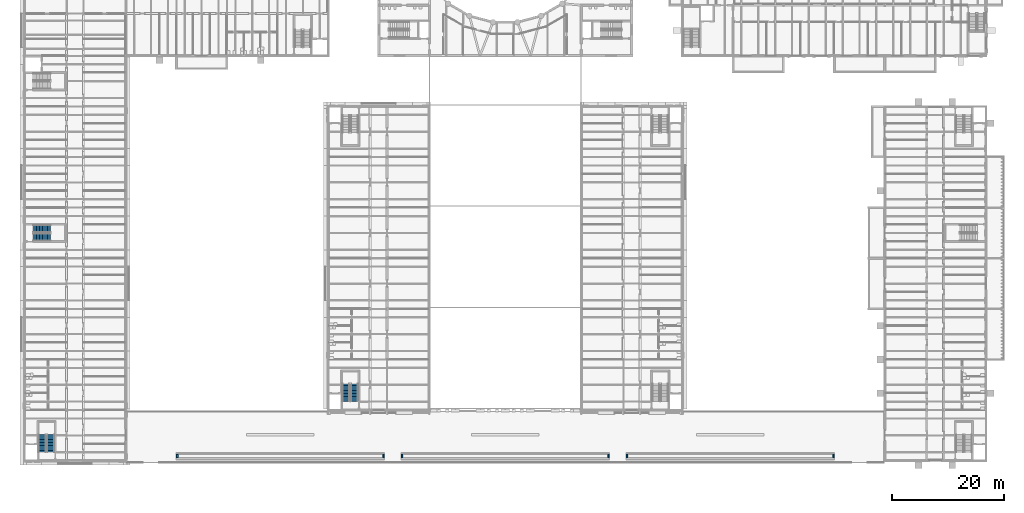
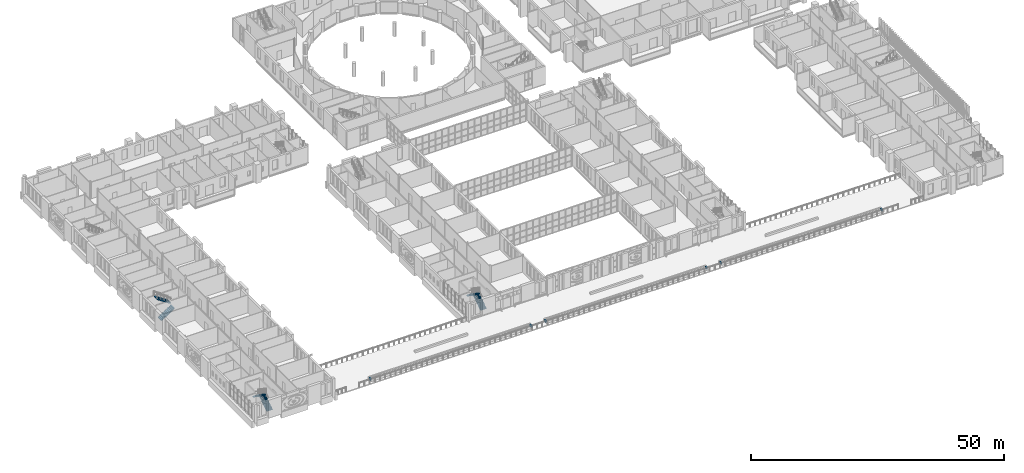
# One storey, part 94 of 134: 6 stair flights, 6 walls, 3 elements without a shape of their own.
"""IFC4 building model written with IfcOpenShell, lengths in metres."""

from ifc_helpers import new_model, si_unit, direction, frame, frame_2d, origin, place, context, subcontext, project, spatial, polyline, rectangle, outline, extrude, material, layer, layer_set, type_object, element, aggregate, save


model = new_model("IFC4")

# Units and contexts
model_context = context("Model", 3, precision=1e-05, world=origin(), true_north=direction((0.0, 1.0)))
body_context = subcontext(model_context, "Body", "Model", "MODEL_VIEW")
ifc_project = project(units=[si_unit("LENGTHUNIT", "METRE"), si_unit("AREAUNIT", "SQUARE_METRE"), si_unit("VOLUMEUNIT", "CUBIC_METRE"), si_unit("PLANEANGLEUNIT", "RADIAN"), si_unit("MASSUNIT", "GRAM", prefix="KILO")], contexts=[model_context])

# Site, building, storey
site_placement = place(None, origin())
site = spatial("IfcSite", under=ifc_project, at=site_placement, CompositionType="ELEMENT")
building_placement = place(site_placement, origin())
building = spatial("IfcBuilding", under=site, at=building_placement, Name="Golden Quay Civic Hall", CompositionType="ELEMENT")
storey_placement = place(building_placement, frame((0.0, 0.0, 5.39990234375)))
storey = spatial("IfcBuildingStorey", under=building, at=storey_placement, Name="L01", CompositionType="ELEMENT", Elevation=5.39990234375)

# Walls
ifc_material_1 = material(Name="Brick, dark clay facing", Category="masonry")
ifc_layer = layer(ifc_material_1, 0.300048828125)
ifc_layer_set = layer_set([ifc_layer], Name="Brick planter wall 300")
wall_type = type_object("IfcWallType", Name="Brick planter wall 300", PredefinedType="STANDARD", material=ifc_layer_set)
for number, where, z_axis, x_axis, name in (
    (1, (27.14990234375, -8.5, 0.0), (0.0, 0.0, 1.0), (0.0, 1.0, 0.0), "Terrace planter 1"),
    (2, (63.85009765625, -8.5, 0.0), (0.0, 0.0, 1.0), (0.0, 1.0, 0.0), "Terrace planter 1"),
    (3, (67.14990234375, -8.5, 0.0), (0.0, 0.0, 1.0), (0.0, 1.0, 0.0), "Terrace planter 2"),
    (4, (103.85009765625, -8.5, 0.0), (0.0, 0.0, 1.0), (0.0, 1.0, 0.0), "Terrace planter 2"),
    (5, (107.14990234375, -8.5, 0.0), (0.0, 0.0, 1.0), (0.0, 1.0, 0.0), "Terrace planter 3"),
    (6, (143.85009765625, -8.5, 0.0), (0.0, 0.0, 1.0), (0.0, 1.0, 0.0), "Terrace planter 3"),
):
    element("IfcWall", number, at=place(storey_placement, frame(where, z_axis=z_axis, x_axis=x_axis)), inside=storey, type_object=wall_type, Name=name, PredefinedType="STANDARD", context=body_context, shape_type="SweptSolid", body=[
        extrude(rectangle(XDim=0.60009765625, YDim=0.300048828125, at=frame_2d((0.300048828125, 0.0))), origin(), (0.0, 0.0, 1.0), 0.5),
    ])

# Stair, stair flights
ifc_material_2 = material(Name="Concrete C35/45", Category="concrete")
stair_type = type_object("IfcStairType", Name="Concrete stair 1350 wide 24 risers of 187.5", PredefinedType="HALF_TURN_STAIR", material=ifc_material_2)
stair_1_placement = place(storey_placement, origin())
stair_1 = element("IfcStair", 7, at=stair_1_placement, inside=storey, type_object=stair_type, Name="L01 Stair WO-S", PredefinedType="HALF_TURN_STAIR")
ifc_material_3 = material(Name="Concrete C35/45", Category="concrete")
stair_flight_type = type_object("IfcStairFlightType", Name="Concrete stair flight 1350 wide 12 risers of 187.5", PredefinedType="STRAIGHT", material=ifc_material_3)
stair_flight_1_placement = place(storey_placement, frame((4.675048828125, -7.449951171875, 0.0), z_axis=(0.0, 0.0, 1.0), x_axis=(0.0, 1.0, 0.0)))
stair_flight_1 = element("IfcStairFlight", 8, at=stair_flight_1_placement, type_object=stair_flight_type, Name="WO-S flight 1", NumberOfRisers=12, NumberOfTreads=11, PredefinedType="STRAIGHT", RiserHeight=0.1875, TreadLength=0.28, context=body_context, shape_type="SweptSolid", body=[
    extrude(outline(polyline([(0.0, 0.0), (0.0, 0.1875), (0.280029296875, 0.1875), (0.280029296875, 0.375), (0.56005859375, 0.375), (0.56005859375, 0.5625), (0.840087890625, 0.5625), (0.840087890625, 0.75), (1.1201171875, 0.75), (1.1201171875, 0.9375), (1.39990234375, 0.9375), (1.39990234375, 1.125), (1.679931640625, 1.125), (1.679931640625, 1.3125), (1.9599609375, 1.3125), (1.9599609375, 1.5), (2.239990234375, 1.5), (2.239990234375, 1.6875), (2.52001953125, 1.6875), (2.52001953125, 1.875), (2.800048828125, 1.875), (2.800048828125, 2.0625), (3.080078125, 2.0625), (3.080078125, 2.25), (3.080078125, 1.882080078125), (0.26953125, 0.0), (0.0, 0.0)])), frame((0.0, 0.675048828125, 0.0), z_axis=(0.0, -1.0, 0.0), x_axis=(1.0, 0.0, 0.0)), (0.0, 0.0, 1.0), 1.35),
])
stair_flight_2_placement = place(storey_placement, frame((3.175048828125, -4.3701171875, 2.25), z_axis=(0.0, 0.0, 1.0), x_axis=(0.0, -1.0, 0.0)))
stair_flight_2 = element("IfcStairFlight", 9, at=stair_flight_2_placement, type_object=stair_flight_type, Name="WO-S flight 2", NumberOfRisers=12, NumberOfTreads=11, PredefinedType="STRAIGHT", RiserHeight=0.1875, TreadLength=0.28, context=body_context, shape_type="SweptSolid", body=[
    extrude(outline(polyline([(0.0, 0.0), (0.0, 0.1875), (0.280029296875, 0.1875), (0.280029296875, 0.375), (0.56005859375, 0.375), (0.56005859375, 0.5625), (0.840087890625, 0.5625), (0.840087890625, 0.75), (1.1201171875, 0.75), (1.1201171875, 0.9375), (1.39990234375, 0.9375), (1.39990234375, 1.125), (1.679931640625, 1.125), (1.679931640625, 1.3125), (1.9599609375, 1.3125), (1.9599609375, 1.5), (2.239990234375, 1.5), (2.239990234375, 1.6875), (2.52001953125, 1.6875), (2.52001953125, 1.875), (2.800048828125, 1.875), (2.800048828125, 2.0625), (3.080078125, 2.0625), (3.080078125, 2.25), (3.080078125, 1.882080078125), (0.26953125, 0.0), (0.0, 0.0)])), frame((0.0, 0.675048828125, 0.0), z_axis=(0.0, -1.0, 0.0), x_axis=(1.0, 0.0, 0.0)), (0.0, 0.0, 1.0), 1.35),
])
aggregate(stair_1, [stair_flight_1, stair_flight_2])

stair_2_placement = place(storey_placement, origin())
stair_2 = element("IfcStair", 10, at=stair_2_placement, inside=storey, type_object=stair_type, Name="L01 Stair WO-M", PredefinedType="HALF_TURN_STAIR")
stair_flight_3_placement = place(storey_placement, frame((1.550048828125, 30.75, 0.0), z_axis=(0.0, 0.0, 1.0), x_axis=(1.0, 0.0, 0.0)))
stair_flight_3 = element("IfcStairFlight", 11, at=stair_flight_3_placement, type_object=stair_flight_type, Name="WO-M flight 1", NumberOfRisers=12, NumberOfTreads=11, PredefinedType="STRAIGHT", RiserHeight=0.1875, TreadLength=0.28, context=body_context, shape_type="SweptSolid", body=[
    extrude(outline(polyline([(0.0, 0.0), (0.0, 0.1875), (0.280029296875, 0.1875), (0.280029296875, 0.375), (0.56005859375, 0.375), (0.56005859375, 0.5625), (0.840087890625, 0.5625), (0.840087890625, 0.75), (1.1201171875, 0.75), (1.1201171875, 0.9375), (1.39990234375, 0.9375), (1.39990234375, 1.125), (1.679931640625, 1.125), (1.679931640625, 1.3125), (1.9599609375, 1.3125), (1.9599609375, 1.5), (2.239990234375, 1.5), (2.239990234375, 1.6875), (2.52001953125, 1.6875), (2.52001953125, 1.875), (2.800048828125, 1.875), (2.800048828125, 2.0625), (3.080078125, 2.0625), (3.080078125, 2.25), (3.080078125, 1.882080078125), (0.26953125, 0.0), (0.0, 0.0)])), frame((0.0, 0.675048828125, 0.0), z_axis=(0.0, -1.0, 0.0), x_axis=(1.0, 0.0, 0.0)), (0.0, 0.0, 1.0), 1.35),
])
stair_flight_4_placement = place(storey_placement, frame((4.6298828125, 32.25, 2.25), z_axis=(0.0, 0.0, 1.0), x_axis=(-1.0, 0.0, 0.0)))
stair_flight_4 = element("IfcStairFlight", 12, at=stair_flight_4_placement, type_object=stair_flight_type, Name="WO-M flight 2", NumberOfRisers=12, NumberOfTreads=11, PredefinedType="STRAIGHT", RiserHeight=0.1875, TreadLength=0.28, context=body_context, shape_type="SweptSolid", body=[
    extrude(outline(polyline([(0.0, 0.0), (0.0, 0.1875), (0.280029296875, 0.1875), (0.280029296875, 0.375), (0.56005859375, 0.375), (0.56005859375, 0.5625), (0.840087890625, 0.5625), (0.840087890625, 0.75), (1.1201171875, 0.75), (1.1201171875, 0.9375), (1.39990234375, 0.9375), (1.39990234375, 1.125), (1.679931640625, 1.125), (1.679931640625, 1.3125), (1.9599609375, 1.3125), (1.9599609375, 1.5), (2.239990234375, 1.5), (2.239990234375, 1.6875), (2.52001953125, 1.6875), (2.52001953125, 1.875), (2.800048828125, 1.875), (2.800048828125, 2.0625), (3.080078125, 2.0625), (3.080078125, 2.25), (3.080078125, 1.882080078125), (0.26953125, 0.0), (0.0, 0.0)])), frame((0.0, 0.675048828125, 0.0), z_axis=(0.0, -1.0, 0.0), x_axis=(1.0, 0.0, 0.0)), (0.0, 0.0, 1.0), 1.35),
])
aggregate(stair_2, [stair_flight_3, stair_flight_4])

stair_3_placement = place(storey_placement, origin())
stair_3 = element("IfcStair", 13, at=stair_3_placement, inside=storey, type_object=stair_type, Name="L01 Stair WM-S", PredefinedType="HALF_TURN_STAIR")
stair_flight_5_placement = place(storey_placement, frame((58.675048828125, 1.550048828125, 0.0), z_axis=(0.0, 0.0, 1.0), x_axis=(0.0, 1.0, 0.0)))
stair_flight_5 = element("IfcStairFlight", 14, at=stair_flight_5_placement, type_object=stair_flight_type, Name="WM-S flight 1", NumberOfRisers=12, NumberOfTreads=11, PredefinedType="STRAIGHT", RiserHeight=0.1875, TreadLength=0.28, context=body_context, shape_type="SweptSolid", body=[
    extrude(outline(polyline([(0.0, 0.0), (0.0, 0.1875), (0.280029296875, 0.1875), (0.280029296875, 0.375), (0.56005859375, 0.375), (0.56005859375, 0.5625), (0.840087890625, 0.5625), (0.840087890625, 0.75), (1.1201171875, 0.75), (1.1201171875, 0.9375), (1.39990234375, 0.9375), (1.39990234375, 1.125), (1.679931640625, 1.125), (1.679931640625, 1.3125), (1.9599609375, 1.3125), (1.9599609375, 1.5), (2.239990234375, 1.5), (2.239990234375, 1.6875), (2.52001953125, 1.6875), (2.52001953125, 1.875), (2.800048828125, 1.875), (2.800048828125, 2.0625), (3.080078125, 2.0625), (3.080078125, 2.25), (3.080078125, 1.882080078125), (0.26953125, 0.0), (0.0, 0.0)])), frame((0.0, 0.675048828125, 0.0), z_axis=(0.0, -1.0, 0.0), x_axis=(1.0, 0.0, 0.0)), (0.0, 0.0, 1.0), 1.35),
])
stair_flight_6_placement = place(storey_placement, frame((57.175048828125, 4.6298828125, 2.25), z_axis=(0.0, 0.0, 1.0), x_axis=(0.0, -1.0, 0.0)))
stair_flight_6 = element("IfcStairFlight", 15, at=stair_flight_6_placement, type_object=stair_flight_type, Name="WM-S flight 2", NumberOfRisers=12, NumberOfTreads=11, PredefinedType="STRAIGHT", RiserHeight=0.1875, TreadLength=0.28, context=body_context, shape_type="SweptSolid", body=[
    extrude(outline(polyline([(0.0, 0.0), (0.0, 0.1875), (0.280029296875, 0.1875), (0.280029296875, 0.375), (0.56005859375, 0.375), (0.56005859375, 0.5625), (0.840087890625, 0.5625), (0.840087890625, 0.75), (1.1201171875, 0.75), (1.1201171875, 0.9375), (1.39990234375, 0.9375), (1.39990234375, 1.125), (1.679931640625, 1.125), (1.679931640625, 1.3125), (1.9599609375, 1.3125), (1.9599609375, 1.5), (2.239990234375, 1.5), (2.239990234375, 1.6875), (2.52001953125, 1.6875), (2.52001953125, 1.875), (2.800048828125, 1.875), (2.800048828125, 2.0625), (3.080078125, 2.0625), (3.080078125, 2.25), (3.080078125, 1.882080078125), (0.26953125, 0.0), (0.0, 0.0)])), frame((0.0, 0.675048828125, 0.0), z_axis=(0.0, -1.0, 0.0), x_axis=(1.0, 0.0, 0.0)), (0.0, 0.0, 1.0), 1.35),
])
aggregate(stair_3, [stair_flight_5, stair_flight_6])

save(model, "model.ifc")
